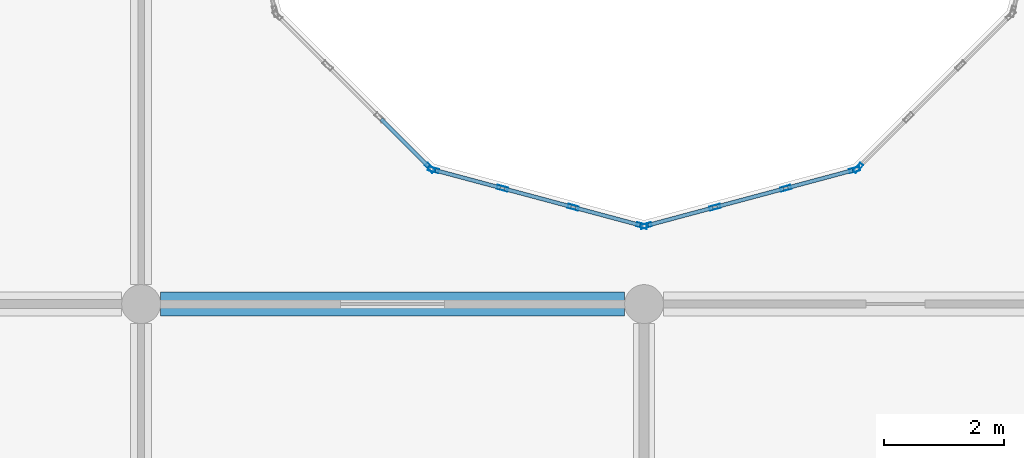
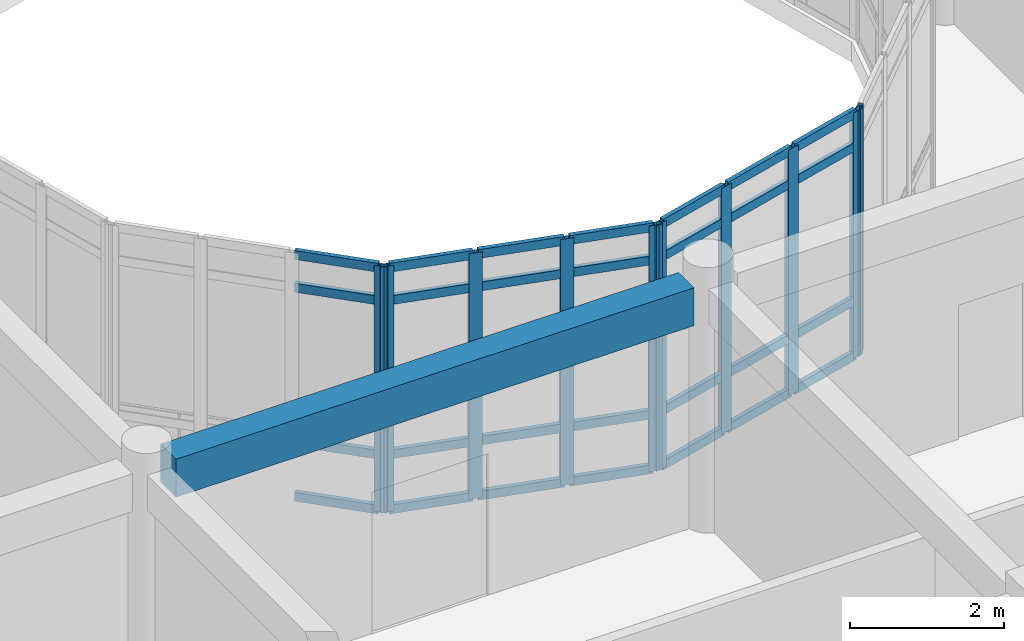
# One storey, part 31 of 119: 38 members, 1 beam, 4 elements without a shape of their own.
"""IFC4 building model written with IfcOpenShell, lengths in metres."""

from ifc_helpers import new_model, si_unit, direction, frame, origin, origin_2d, place, context, subcontext, project, spatial, rectangle, hollow_rectangle, extrude, material, layer, layer_set, material_profile, profile_set, type_object, element, aggregate, save


model = new_model("IFC4")

# Units and contexts
model_context = context("Model", 3, precision=1e-05, world=origin(), true_north=direction((0.0, 1.0)))
body_context = subcontext(model_context, "Body", "Model", "MODEL_VIEW")
ifc_project = project(units=[si_unit("LENGTHUNIT", "METRE"), si_unit("AREAUNIT", "SQUARE_METRE"), si_unit("VOLUMEUNIT", "CUBIC_METRE"), si_unit("PLANEANGLEUNIT", "RADIAN"), si_unit("MASSUNIT", "GRAM", prefix="KILO")], contexts=[model_context])

# Site, building, storey
site_placement = place(None, origin())
site = spatial("IfcSite", under=ifc_project, at=site_placement, CompositionType="ELEMENT")
building_placement = place(site_placement, origin())
building = spatial("IfcBuilding", under=site, at=building_placement, Name="Bramfleet General Hospital", CompositionType="ELEMENT")
storey_placement = place(building_placement, frame((0.0, 0.0, 14.39990234375)))
storey = spatial("IfcBuildingStorey", under=building, at=storey_placement, Name="L03", CompositionType="ELEMENT", Elevation=14.39990234375)

# Beam
ifc_material_1 = material(Name="Concrete C35/45", Category="concrete")
ifc_material_profile_1 = material_profile(ifc_material_1, rectangle(XDim=0.39990234375, YDim=0.60009765625, at=origin_2d()), Name="RC BM 600x400")
ifc_profile_set_1 = profile_set([ifc_material_profile_1], Name="Concrete C35/45")
beam_type = type_object("IfcBeamType", Name="BM-RC600", PredefinedType="BEAM", material=ifc_profile_set_1)
beam_placement = place(storey_placement, frame((75.925048828125, 67.199951171875, 3.590087890625), z_axis=(1.0, 0.0, 0.0), x_axis=(0.0, 1.0, 0.0)))
element("IfcBeam", 1, at=beam_placement, inside=storey, type_object=beam_type, Name="L03 Grid Beam X 09-08", PredefinedType="BEAM", context=body_context, shape_type="SweptSolid", body=[
    extrude(rectangle(XDim=0.39990234375, YDim=0.60009765625, at=origin_2d()), origin(), (0.0, 0.0, 1.0), 7.75),
])

# Curtain wall, member
ifc_material_2 = material(Name="Anodised aluminium and low-E triple glazing", Category="aluminium")
ifc_layer_1 = layer(ifc_material_2, 0.179931640625, Name="CWT-CW-14")
ifc_layer_set_1 = layer_set([ifc_layer_1], Name="Anodised aluminium and low-E triple glazing")
curtain_wall_type_1 = type_object("IfcCurtainWallType", Name="CWT-CW-14", PredefinedType="USERDEFINED", material=ifc_layer_set_1)
curtain_wall_1_placement = place(storey_placement, origin())
curtain_wall_1 = element("IfcCurtainWall", 2, at=curtain_wall_1_placement, inside=storey, type_object=curtain_wall_type_1, Name="L03 Central Diagnostic Light Court Curtain Wall 2.1", ObjectType="Stick curtain wall", PredefinedType="USERDEFINED")
ifc_material_3 = material(Name="Anodised aluminium EN AW-6060", Category="aluminium")
ifc_material_profile_2 = material_profile(ifc_material_3, hollow_rectangle(XDim=0.070068359375, YDim=0.179931640625, WallThickness=0.00390625, at=origin_2d()), Name="ALU 180x70x4.0")
ifc_profile_set_2 = profile_set([ifc_material_profile_2], Name="Anodised aluminium EN AW-6060")
member_type_1 = type_object("IfcMemberType", Name="CWM-ALU180", PredefinedType="MULLION", material=ifc_profile_set_2)
member_1_placement = place(storey_placement, frame((80.42529296875, 69.475830078125, 0.0), z_axis=(0.0, 0.0, 1.0), x_axis=(0.707106781187, 0.707106781187, 0.0)))
member_1 = element("IfcMember", 3, at=member_1_placement, type_object=member_type_1, Name="CW-14 mullion 4", PredefinedType="MULLION", context=body_context, shape_type="SweptSolid", body=[
    extrude(hollow_rectangle(XDim=0.070068359375, YDim=0.179931640625, WallThickness=0.00390625, at=origin_2d()), origin(), (0.0, 0.0, 1.0), 3.89013671875),
])

# Curtain wall, members
ifc_layer_2 = layer(ifc_material_2, 0.179931640625, Name="CWT-CW-15")
ifc_layer_set_2 = layer_set([ifc_layer_2], Name="Anodised aluminium and low-E triple glazing")
curtain_wall_type_2 = type_object("IfcCurtainWallType", Name="CWT-CW-15", PredefinedType="USERDEFINED", material=ifc_layer_set_2)
curtain_wall_2_placement = place(storey_placement, origin())
curtain_wall_2 = element("IfcCurtainWall", 4, at=curtain_wall_2_placement, inside=storey, type_object=curtain_wall_type_2, Name="L03 Central Diagnostic Light Court Curtain Wall 3.1", ObjectType="Stick curtain wall", PredefinedType="USERDEFINED")
member_2_placement = place(storey_placement, frame((80.48388671875, 69.44189453125, 0.0), z_axis=(0.0, 0.0, 1.0), x_axis=(0.258763286618, 0.965940765005, 0.0)))
member_2 = element("IfcMember", 5, at=member_2_placement, type_object=member_type_1, Name="CW-15 mullion 1", PredefinedType="MULLION", context=body_context, shape_type="SweptSolid", body=[
    extrude(hollow_rectangle(XDim=0.070068359375, YDim=0.179931640625, WallThickness=0.00390625, at=origin_2d()), origin(), (0.0, 0.0, 1.0), 3.89013671875),
])
member_3_placement = place(storey_placement, frame((81.63330078125, 69.134033203125, 0.0), z_axis=(0.0, 0.0, 1.0), x_axis=(0.258763286618, 0.965940765005, 0.0)))
member_3 = element("IfcMember", 6, at=member_3_placement, type_object=member_type_1, Name="CW-15 mullion 2", PredefinedType="MULLION", context=body_context, shape_type="SweptSolid", body=[
    extrude(hollow_rectangle(XDim=0.070068359375, YDim=0.179931640625, WallThickness=0.00390625, at=origin_2d()), origin(), (0.0, 0.0, 1.0), 3.89013671875),
])
member_4_placement = place(storey_placement, frame((82.816650390625, 68.81689453125, 0.0), z_axis=(0.0, 0.0, 1.0), x_axis=(0.258763286618, 0.965940765005, 0.0)))
member_4 = element("IfcMember", 7, at=member_4_placement, type_object=member_type_1, Name="CW-15 mullion 3", PredefinedType="MULLION", context=body_context, shape_type="SweptSolid", body=[
    extrude(hollow_rectangle(XDim=0.070068359375, YDim=0.179931640625, WallThickness=0.00390625, at=origin_2d()), origin(), (0.0, 0.0, 1.0), 3.89013671875),
])
member_5_placement = place(storey_placement, frame((83.96630859375, 68.509033203125, 0.0), z_axis=(0.0, 0.0, 1.0), x_axis=(0.258763286618, 0.965940765005, 0.0)))
member_5 = element("IfcMember", 8, at=member_5_placement, type_object=member_type_1, Name="CW-15 mullion 4", PredefinedType="MULLION", context=body_context, shape_type="SweptSolid", body=[
    extrude(hollow_rectangle(XDim=0.070068359375, YDim=0.179931640625, WallThickness=0.00390625, at=origin_2d()), origin(), (0.0, 0.0, 1.0), 3.89013671875),
])

ifc_layer_3 = layer(ifc_material_2, 0.179931640625, Name="CWT-CW-16")
ifc_layer_set_3 = layer_set([ifc_layer_3], Name="Anodised aluminium and low-E triple glazing")
curtain_wall_type_3 = type_object("IfcCurtainWallType", Name="CWT-CW-16", PredefinedType="USERDEFINED", material=ifc_layer_set_3)
curtain_wall_3_placement = place(storey_placement, origin())
curtain_wall_3 = element("IfcCurtainWall", 9, at=curtain_wall_3_placement, inside=storey, type_object=curtain_wall_type_3, Name="L03 Central Diagnostic Light Court Curtain Wall 4.1", ObjectType="Stick curtain wall", PredefinedType="USERDEFINED")
member_6_placement = place(storey_placement, frame((84.03369140625, 68.509033203125, 0.0), z_axis=(0.0, 0.0, 1.0), x_axis=(-0.258763286618, 0.965940765005, 0.0)))
member_6 = element("IfcMember", 10, at=member_6_placement, type_object=member_type_1, Name="CW-16 mullion 1", PredefinedType="MULLION", context=body_context, shape_type="SweptSolid", body=[
    extrude(hollow_rectangle(XDim=0.070068359375, YDim=0.179931640625, WallThickness=0.00390625, at=origin_2d()), origin(), (0.0, 0.0, 1.0), 3.89013671875),
])
member_7_placement = place(storey_placement, frame((85.183349609375, 68.81689453125, 0.0), z_axis=(0.0, 0.0, 1.0), x_axis=(-0.258763286618, 0.965940765005, 0.0)))
member_7 = element("IfcMember", 11, at=member_7_placement, type_object=member_type_1, Name="CW-16 mullion 2", PredefinedType="MULLION", context=body_context, shape_type="SweptSolid", body=[
    extrude(hollow_rectangle(XDim=0.070068359375, YDim=0.179931640625, WallThickness=0.00390625, at=origin_2d()), origin(), (0.0, 0.0, 1.0), 3.89013671875),
])
member_8_placement = place(storey_placement, frame((86.36669921875, 69.134033203125, 0.0), z_axis=(0.0, 0.0, 1.0), x_axis=(-0.258763286618, 0.965940765005, 0.0)))
member_8 = element("IfcMember", 12, at=member_8_placement, type_object=member_type_1, Name="CW-16 mullion 3", PredefinedType="MULLION", context=body_context, shape_type="SweptSolid", body=[
    extrude(hollow_rectangle(XDim=0.070068359375, YDim=0.179931640625, WallThickness=0.00390625, at=origin_2d()), origin(), (0.0, 0.0, 1.0), 3.89013671875),
])
member_9_placement = place(storey_placement, frame((87.51611328125, 69.44189453125, 0.0), z_axis=(0.0, 0.0, 1.0), x_axis=(-0.258763286618, 0.965940765005, 0.0)))
member_9 = element("IfcMember", 13, at=member_9_placement, type_object=member_type_1, Name="CW-16 mullion 4", PredefinedType="MULLION", context=body_context, shape_type="SweptSolid", body=[
    extrude(hollow_rectangle(XDim=0.070068359375, YDim=0.179931640625, WallThickness=0.00390625, at=origin_2d()), origin(), (0.0, 0.0, 1.0), 3.89013671875),
])

# Curtain wall, member
ifc_layer_4 = layer(ifc_material_2, 0.179931640625, Name="CWT-CW-17")
ifc_layer_set_4 = layer_set([ifc_layer_4], Name="Anodised aluminium and low-E triple glazing")
curtain_wall_type_4 = type_object("IfcCurtainWallType", Name="CWT-CW-17", PredefinedType="USERDEFINED", material=ifc_layer_set_4)
curtain_wall_4_placement = place(storey_placement, origin())
curtain_wall_4 = element("IfcCurtainWall", 14, at=curtain_wall_4_placement, inside=storey, type_object=curtain_wall_type_4, Name="L03 Central Diagnostic Light Court Curtain Wall 5.1", ObjectType="Stick curtain wall", PredefinedType="USERDEFINED")
member_10_placement = place(storey_placement, frame((87.57470703125, 69.475830078125, 0.0), z_axis=(0.0, 0.0, 1.0), x_axis=(-0.707106781187, 0.707106781187, 0.0)))
member_10 = element("IfcMember", 15, at=member_10_placement, type_object=member_type_1, Name="CW-17 mullion 1", PredefinedType="MULLION", context=body_context, shape_type="SweptSolid", body=[
    extrude(hollow_rectangle(XDim=0.070068359375, YDim=0.179931640625, WallThickness=0.00390625, at=origin_2d()), origin(), (0.0, 0.0, 1.0), 3.89013671875),
])
aggregate(curtain_wall_4, [member_10])

# Member
ifc_material_profile_3 = material_profile(ifc_material_3, hollow_rectangle(XDim=0.06494140625, YDim=0.139892578125, WallThickness=0.00390625, at=origin_2d()), Name="ALU 140x65x4.0")
ifc_profile_set_3 = profile_set([ifc_material_profile_3], Name="Anodised aluminium EN AW-6060")
member_type_2 = type_object("IfcMemberType", Name="CWT-ALU140", PredefinedType="USERDEFINED", material=ifc_profile_set_3)
member_11_placement = place(storey_placement, frame((79.6083984375, 70.29248046875, 0.03271484375), z_axis=(0.707106781187, -0.707106781187, 0.0), x_axis=(0.707106781187, 0.707106781187, 0.0)))
member_11 = element("IfcMember", 16, at=member_11_placement, type_object=member_type_2, Name="CW-14 transom 3.1", ObjectType="TRANSOM", PredefinedType="USERDEFINED", context=body_context, shape_type="SweptSolid", body=[
    extrude(hollow_rectangle(XDim=0.06494140625, YDim=0.139892578125, WallThickness=0.00390625, at=origin_2d()), origin(), (0.0, 0.0, 1.0), 1.1201171875),
])

member_12_placement = place(storey_placement, frame((79.6083984375, 70.29248046875, 0.900146484375), z_axis=(0.707106781187, -0.707106781187, 0.0), x_axis=(0.707106781187, 0.707106781187, 0.0)))
member_12 = element("IfcMember", 17, at=member_12_placement, type_object=member_type_2, Name="CW-14 transom 3.2", ObjectType="TRANSOM", PredefinedType="USERDEFINED", context=body_context, shape_type="SweptSolid", body=[
    extrude(hollow_rectangle(XDim=0.06494140625, YDim=0.139892578125, WallThickness=0.00390625, at=origin_2d()), origin(), (0.0, 0.0, 1.0), 1.1201171875),
])

member_13_placement = place(storey_placement, frame((79.6083984375, 70.29248046875, 3.340087890625), z_axis=(0.707106781187, -0.707106781187, 0.0), x_axis=(0.707106781187, 0.707106781187, 0.0)))
member_13 = element("IfcMember", 18, at=member_13_placement, type_object=member_type_2, Name="CW-14 transom 3.3", ObjectType="TRANSOM", PredefinedType="USERDEFINED", context=body_context, shape_type="SweptSolid", body=[
    extrude(hollow_rectangle(XDim=0.06494140625, YDim=0.139892578125, WallThickness=0.00390625, at=origin_2d()), origin(), (0.0, 0.0, 1.0), 1.1201171875),
])

member_14_placement = place(storey_placement, frame((79.6083984375, 70.29248046875, 3.857666015625), z_axis=(0.707106781187, -0.707106781187, 0.0), x_axis=(0.707106781187, 0.707106781187, 0.0)))
member_14 = element("IfcMember", 19, at=member_14_placement, type_object=member_type_2, Name="CW-14 transom 3.4", ObjectType="TRANSOM", PredefinedType="USERDEFINED", context=body_context, shape_type="SweptSolid", body=[
    extrude(hollow_rectangle(XDim=0.06494140625, YDim=0.139892578125, WallThickness=0.00390625, at=origin_2d()), origin(), (0.0, 0.0, 1.0), 1.1201171875),
])

aggregate(curtain_wall_1, [member_1, member_11, member_12, member_13, member_14])

member_15_placement = place(storey_placement, frame((80.517578125, 69.432861328125, 0.03271484375), z_axis=(0.965955832691, -0.25870703371, 0.0), x_axis=(0.25870703371, 0.965955832691, 0.0)))
member_15 = element("IfcMember", 20, at=member_15_placement, type_object=member_type_2, Name="CW-15 transom 1.1", ObjectType="TRANSOM", PredefinedType="USERDEFINED", context=body_context, shape_type="SweptSolid", body=[
    extrude(hollow_rectangle(XDim=0.06494140625, YDim=0.139892578125, WallThickness=0.00390625, at=origin_2d()), origin(), (0.0, 0.0, 1.0), 1.1201171875),
])

member_16_placement = place(storey_placement, frame((80.517578125, 69.432861328125, 0.900146484375), z_axis=(0.965955832691, -0.25870703371, 0.0), x_axis=(0.25870703371, 0.965955832691, 0.0)))
member_16 = element("IfcMember", 21, at=member_16_placement, type_object=member_type_2, Name="CW-15 transom 1.2", ObjectType="TRANSOM", PredefinedType="USERDEFINED", context=body_context, shape_type="SweptSolid", body=[
    extrude(hollow_rectangle(XDim=0.06494140625, YDim=0.139892578125, WallThickness=0.00390625, at=origin_2d()), origin(), (0.0, 0.0, 1.0), 1.1201171875),
])

member_17_placement = place(storey_placement, frame((80.517578125, 69.432861328125, 3.340087890625), z_axis=(0.965955832691, -0.25870703371, 0.0), x_axis=(0.25870703371, 0.965955832691, 0.0)))
member_17 = element("IfcMember", 22, at=member_17_placement, type_object=member_type_2, Name="CW-15 transom 1.3", ObjectType="TRANSOM", PredefinedType="USERDEFINED", context=body_context, shape_type="SweptSolid", body=[
    extrude(hollow_rectangle(XDim=0.06494140625, YDim=0.139892578125, WallThickness=0.00390625, at=origin_2d()), origin(), (0.0, 0.0, 1.0), 1.1201171875),
])

member_18_placement = place(storey_placement, frame((80.517578125, 69.432861328125, 3.857666015625), z_axis=(0.965955832691, -0.25870703371, 0.0), x_axis=(0.25870703371, 0.965955832691, 0.0)))
member_18 = element("IfcMember", 23, at=member_18_placement, type_object=member_type_2, Name="CW-15 transom 1.4", ObjectType="TRANSOM", PredefinedType="USERDEFINED", context=body_context, shape_type="SweptSolid", body=[
    extrude(hollow_rectangle(XDim=0.06494140625, YDim=0.139892578125, WallThickness=0.00390625, at=origin_2d()), origin(), (0.0, 0.0, 1.0), 1.1201171875),
])

member_19_placement = place(storey_placement, frame((81.667236328125, 69.125, 0.03271484375), z_axis=(0.965953711242, -0.258714954608, 0.0), x_axis=(0.258714954608, 0.965953711242, 0.0)))
member_19 = element("IfcMember", 24, at=member_19_placement, type_object=member_type_2, Name="CW-15 transom 2.1", ObjectType="TRANSOM", PredefinedType="USERDEFINED", context=body_context, shape_type="SweptSolid", body=[
    extrude(hollow_rectangle(XDim=0.06494140625, YDim=0.139892578125, WallThickness=0.00390625, at=origin_2d()), origin(), (0.0, 0.0, 1.0), 1.155029296875),
])

member_20_placement = place(storey_placement, frame((81.667236328125, 69.125, 0.900146484375), z_axis=(0.965953711242, -0.258714954608, 0.0), x_axis=(0.258714954608, 0.965953711242, 0.0)))
member_20 = element("IfcMember", 25, at=member_20_placement, type_object=member_type_2, Name="CW-15 transom 2.2", ObjectType="TRANSOM", PredefinedType="USERDEFINED", context=body_context, shape_type="SweptSolid", body=[
    extrude(hollow_rectangle(XDim=0.06494140625, YDim=0.139892578125, WallThickness=0.00390625, at=origin_2d()), origin(), (0.0, 0.0, 1.0), 1.155029296875),
])

member_21_placement = place(storey_placement, frame((81.667236328125, 69.125, 3.340087890625), z_axis=(0.965953711242, -0.258714954608, 0.0), x_axis=(0.258714954608, 0.965953711242, 0.0)))
member_21 = element("IfcMember", 26, at=member_21_placement, type_object=member_type_2, Name="CW-15 transom 2.3", ObjectType="TRANSOM", PredefinedType="USERDEFINED", context=body_context, shape_type="SweptSolid", body=[
    extrude(hollow_rectangle(XDim=0.06494140625, YDim=0.139892578125, WallThickness=0.00390625, at=origin_2d()), origin(), (0.0, 0.0, 1.0), 1.155029296875),
])

member_22_placement = place(storey_placement, frame((81.667236328125, 69.125, 3.857666015625), z_axis=(0.965953711242, -0.258714954608, 0.0), x_axis=(0.258714954608, 0.965953711242, 0.0)))
member_22 = element("IfcMember", 27, at=member_22_placement, type_object=member_type_2, Name="CW-15 transom 2.4", ObjectType="TRANSOM", PredefinedType="USERDEFINED", context=body_context, shape_type="SweptSolid", body=[
    extrude(hollow_rectangle(XDim=0.06494140625, YDim=0.139892578125, WallThickness=0.00390625, at=origin_2d()), origin(), (0.0, 0.0, 1.0), 1.155029296875),
])

member_23_placement = place(storey_placement, frame((82.8505859375, 68.807861328125, 0.03271484375), z_axis=(0.965941240814, -0.258761510459, 0.0), x_axis=(0.258761510459, 0.965941240814, 0.0)))
member_23 = element("IfcMember", 28, at=member_23_placement, type_object=member_type_2, Name="CW-15 transom 3.1", ObjectType="TRANSOM", PredefinedType="USERDEFINED", context=body_context, shape_type="SweptSolid", body=[
    extrude(hollow_rectangle(XDim=0.06494140625, YDim=0.139892578125, WallThickness=0.00390625, at=origin_2d()), origin(), (0.0, 0.0, 1.0), 1.119873046875),
])

member_24_placement = place(storey_placement, frame((82.8505859375, 68.807861328125, 0.900146484375), z_axis=(0.965941240814, -0.258761510459, 0.0), x_axis=(0.258761510459, 0.965941240814, 0.0)))
member_24 = element("IfcMember", 29, at=member_24_placement, type_object=member_type_2, Name="CW-15 transom 3.2", ObjectType="TRANSOM", PredefinedType="USERDEFINED", context=body_context, shape_type="SweptSolid", body=[
    extrude(hollow_rectangle(XDim=0.06494140625, YDim=0.139892578125, WallThickness=0.00390625, at=origin_2d()), origin(), (0.0, 0.0, 1.0), 1.119873046875),
])

member_25_placement = place(storey_placement, frame((82.8505859375, 68.807861328125, 3.340087890625), z_axis=(0.965941240814, -0.258761510459, 0.0), x_axis=(0.258761510459, 0.965941240814, 0.0)))
member_25 = element("IfcMember", 30, at=member_25_placement, type_object=member_type_2, Name="CW-15 transom 3.3", ObjectType="TRANSOM", PredefinedType="USERDEFINED", context=body_context, shape_type="SweptSolid", body=[
    extrude(hollow_rectangle(XDim=0.06494140625, YDim=0.139892578125, WallThickness=0.00390625, at=origin_2d()), origin(), (0.0, 0.0, 1.0), 1.119873046875),
])

member_26_placement = place(storey_placement, frame((82.8505859375, 68.807861328125, 3.857666015625), z_axis=(0.965941240814, -0.258761510459, 0.0), x_axis=(0.258761510459, 0.965941240814, 0.0)))
member_26 = element("IfcMember", 31, at=member_26_placement, type_object=member_type_2, Name="CW-15 transom 3.4", ObjectType="TRANSOM", PredefinedType="USERDEFINED", context=body_context, shape_type="SweptSolid", body=[
    extrude(hollow_rectangle(XDim=0.06494140625, YDim=0.139892578125, WallThickness=0.00390625, at=origin_2d()), origin(), (0.0, 0.0, 1.0), 1.119873046875),
])

aggregate(curtain_wall_2, [member_2, member_3, member_4, member_5, member_15, member_16, member_17, member_18, member_19, member_20, member_21, member_22, member_23, member_24, member_25, member_26])

member_27_placement = place(storey_placement, frame((84.067626953125, 68.51806640625, 0.03271484375), z_axis=(0.965941240814, 0.258761510459, 0.0), x_axis=(-0.258761510459, 0.965941240814, 0.0)))
member_27 = element("IfcMember", 32, at=member_27_placement, type_object=member_type_2, Name="CW-16 transom 1.1", ObjectType="TRANSOM", PredefinedType="USERDEFINED", context=body_context, shape_type="SweptSolid", body=[
    extrude(hollow_rectangle(XDim=0.06494140625, YDim=0.139892578125, WallThickness=0.00390625, at=origin_2d()), origin(), (0.0, 0.0, 1.0), 1.119873046875),
])

member_28_placement = place(storey_placement, frame((84.067626953125, 68.51806640625, 0.900146484375), z_axis=(0.965941240814, 0.258761510459, 0.0), x_axis=(-0.258761510459, 0.965941240814, 0.0)))
member_28 = element("IfcMember", 33, at=member_28_placement, type_object=member_type_2, Name="CW-16 transom 1.2", ObjectType="TRANSOM", PredefinedType="USERDEFINED", context=body_context, shape_type="SweptSolid", body=[
    extrude(hollow_rectangle(XDim=0.06494140625, YDim=0.139892578125, WallThickness=0.00390625, at=origin_2d()), origin(), (0.0, 0.0, 1.0), 1.119873046875),
])

member_29_placement = place(storey_placement, frame((84.067626953125, 68.51806640625, 3.340087890625), z_axis=(0.965941240814, 0.258761510459, 0.0), x_axis=(-0.258761510459, 0.965941240814, 0.0)))
member_29 = element("IfcMember", 34, at=member_29_placement, type_object=member_type_2, Name="CW-16 transom 1.3", ObjectType="TRANSOM", PredefinedType="USERDEFINED", context=body_context, shape_type="SweptSolid", body=[
    extrude(hollow_rectangle(XDim=0.06494140625, YDim=0.139892578125, WallThickness=0.00390625, at=origin_2d()), origin(), (0.0, 0.0, 1.0), 1.119873046875),
])

member_30_placement = place(storey_placement, frame((84.067626953125, 68.51806640625, 3.857666015625), z_axis=(0.965941240814, 0.258761510459, 0.0), x_axis=(-0.258761510459, 0.965941240814, 0.0)))
member_30 = element("IfcMember", 35, at=member_30_placement, type_object=member_type_2, Name="CW-16 transom 1.4", ObjectType="TRANSOM", PredefinedType="USERDEFINED", context=body_context, shape_type="SweptSolid", body=[
    extrude(hollow_rectangle(XDim=0.06494140625, YDim=0.139892578125, WallThickness=0.00390625, at=origin_2d()), origin(), (0.0, 0.0, 1.0), 1.119873046875),
])

member_31_placement = place(storey_placement, frame((85.217041015625, 68.826171875, 0.03271484375), z_axis=(0.965953711242, 0.258714954608, 0.0), x_axis=(-0.258714954608, 0.965953711242, 0.0)))
member_31 = element("IfcMember", 36, at=member_31_placement, type_object=member_type_2, Name="CW-16 transom 2.1", ObjectType="TRANSOM", PredefinedType="USERDEFINED", context=body_context, shape_type="SweptSolid", body=[
    extrude(hollow_rectangle(XDim=0.06494140625, YDim=0.139892578125, WallThickness=0.00390625, at=origin_2d()), origin(), (0.0, 0.0, 1.0), 1.155029296875),
])

member_32_placement = place(storey_placement, frame((85.217041015625, 68.826171875, 0.900146484375), z_axis=(0.965953711242, 0.258714954608, 0.0), x_axis=(-0.258714954608, 0.965953711242, 0.0)))
member_32 = element("IfcMember", 37, at=member_32_placement, type_object=member_type_2, Name="CW-16 transom 2.2", ObjectType="TRANSOM", PredefinedType="USERDEFINED", context=body_context, shape_type="SweptSolid", body=[
    extrude(hollow_rectangle(XDim=0.06494140625, YDim=0.139892578125, WallThickness=0.00390625, at=origin_2d()), origin(), (0.0, 0.0, 1.0), 1.155029296875),
])

member_33_placement = place(storey_placement, frame((85.217041015625, 68.826171875, 3.340087890625), z_axis=(0.965953711242, 0.258714954608, 0.0), x_axis=(-0.258714954608, 0.965953711242, 0.0)))
member_33 = element("IfcMember", 38, at=member_33_placement, type_object=member_type_2, Name="CW-16 transom 2.3", ObjectType="TRANSOM", PredefinedType="USERDEFINED", context=body_context, shape_type="SweptSolid", body=[
    extrude(hollow_rectangle(XDim=0.06494140625, YDim=0.139892578125, WallThickness=0.00390625, at=origin_2d()), origin(), (0.0, 0.0, 1.0), 1.155029296875),
])

member_34_placement = place(storey_placement, frame((85.217041015625, 68.826171875, 3.857666015625), z_axis=(0.965953711242, 0.258714954608, 0.0), x_axis=(-0.258714954608, 0.965953711242, 0.0)))
member_34 = element("IfcMember", 39, at=member_34_placement, type_object=member_type_2, Name="CW-16 transom 2.4", ObjectType="TRANSOM", PredefinedType="USERDEFINED", context=body_context, shape_type="SweptSolid", body=[
    extrude(hollow_rectangle(XDim=0.06494140625, YDim=0.139892578125, WallThickness=0.00390625, at=origin_2d()), origin(), (0.0, 0.0, 1.0), 1.155029296875),
])

member_35_placement = place(storey_placement, frame((86.400390625, 69.14306640625, 0.03271484375), z_axis=(0.965955832691, 0.25870703371, 0.0), x_axis=(-0.25870703371, 0.965955832691, 0.0)))
member_35 = element("IfcMember", 40, at=member_35_placement, type_object=member_type_2, Name="CW-16 transom 3.1", ObjectType="TRANSOM", PredefinedType="USERDEFINED", context=body_context, shape_type="SweptSolid", body=[
    extrude(hollow_rectangle(XDim=0.06494140625, YDim=0.139892578125, WallThickness=0.00390625, at=origin_2d()), origin(), (0.0, 0.0, 1.0), 1.1201171875),
])

member_36_placement = place(storey_placement, frame((86.400390625, 69.14306640625, 0.900146484375), z_axis=(0.965955832691, 0.25870703371, 0.0), x_axis=(-0.25870703371, 0.965955832691, 0.0)))
member_36 = element("IfcMember", 41, at=member_36_placement, type_object=member_type_2, Name="CW-16 transom 3.2", ObjectType="TRANSOM", PredefinedType="USERDEFINED", context=body_context, shape_type="SweptSolid", body=[
    extrude(hollow_rectangle(XDim=0.06494140625, YDim=0.139892578125, WallThickness=0.00390625, at=origin_2d()), origin(), (0.0, 0.0, 1.0), 1.1201171875),
])

member_37_placement = place(storey_placement, frame((86.400390625, 69.14306640625, 3.340087890625), z_axis=(0.965955832691, 0.25870703371, 0.0), x_axis=(-0.25870703371, 0.965955832691, 0.0)))
member_37 = element("IfcMember", 42, at=member_37_placement, type_object=member_type_2, Name="CW-16 transom 3.3", ObjectType="TRANSOM", PredefinedType="USERDEFINED", context=body_context, shape_type="SweptSolid", body=[
    extrude(hollow_rectangle(XDim=0.06494140625, YDim=0.139892578125, WallThickness=0.00390625, at=origin_2d()), origin(), (0.0, 0.0, 1.0), 1.1201171875),
])

member_38_placement = place(storey_placement, frame((86.400390625, 69.14306640625, 3.857666015625), z_axis=(0.965955832691, 0.25870703371, 0.0), x_axis=(-0.25870703371, 0.965955832691, 0.0)))
member_38 = element("IfcMember", 43, at=member_38_placement, type_object=member_type_2, Name="CW-16 transom 3.4", ObjectType="TRANSOM", PredefinedType="USERDEFINED", context=body_context, shape_type="SweptSolid", body=[
    extrude(hollow_rectangle(XDim=0.06494140625, YDim=0.139892578125, WallThickness=0.00390625, at=origin_2d()), origin(), (0.0, 0.0, 1.0), 1.1201171875),
])

aggregate(curtain_wall_3, [member_6, member_7, member_8, member_9, member_27, member_28, member_29, member_30, member_31, member_32, member_33, member_34, member_35, member_36, member_37, member_38])

save(model, "model.ifc")
